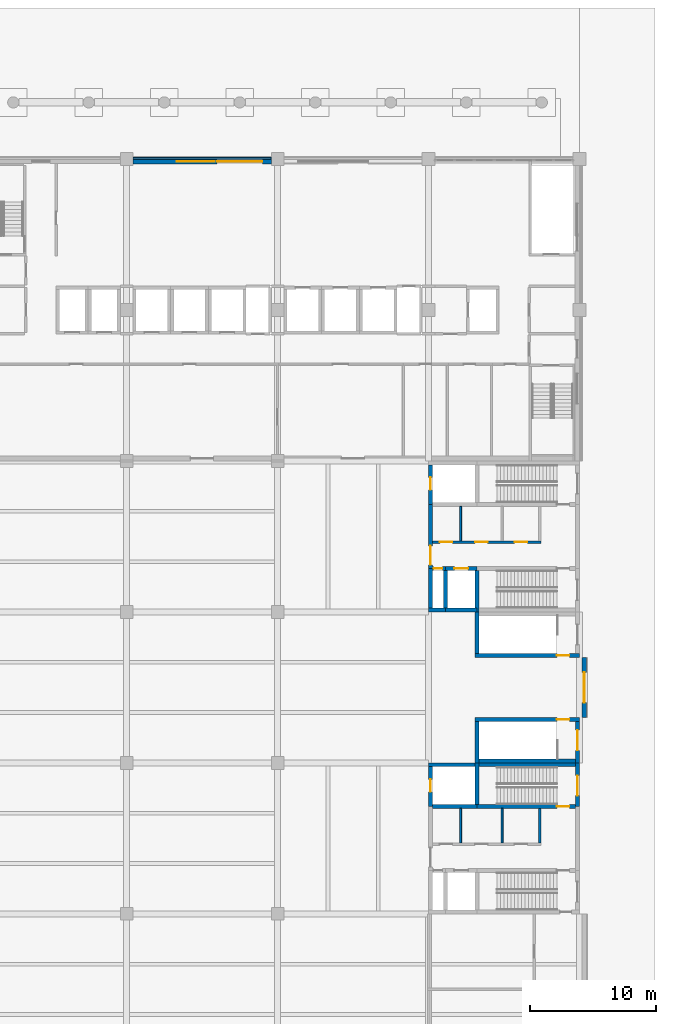
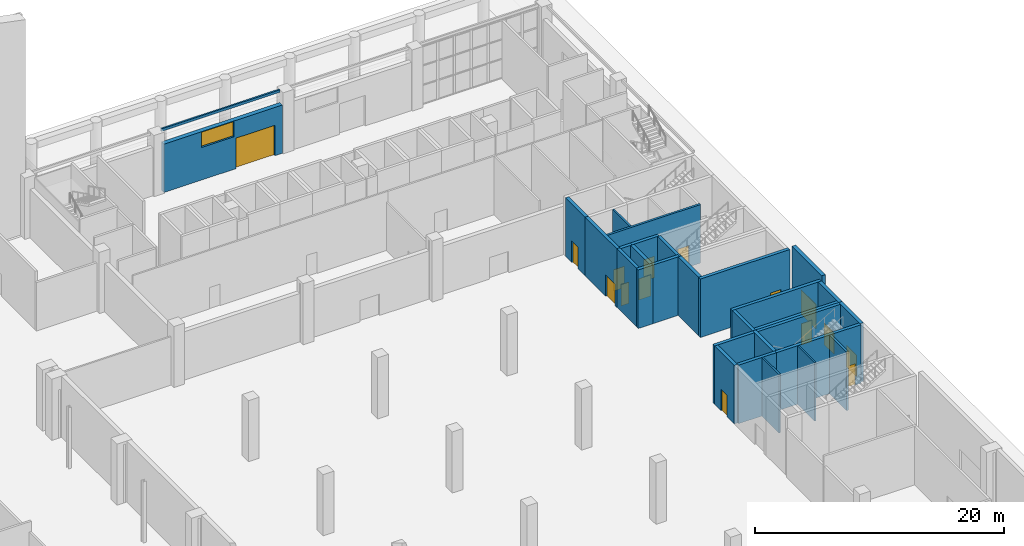
# One storey, part 47 of 59: 30 walls, 15 doors, 1 window, 16 openings.
"""IFC4 building model written with IfcOpenShell, lengths in metres."""

from ifc_helpers import new_model, si_unit, direction, frame, frame_2d, origin, place, context, subcontext, project, spatial, rectangle, extrude, material, layer, layer_set, type_object, element, fill, save


model = new_model("IFC4")

# Units and contexts
model_context = context("Model", 3, precision=1e-05, world=origin(), true_north=direction((0.0, 1.0)))
body_context = subcontext(model_context, "Body", "Model", "MODEL_VIEW")
ifc_project = project(units=[si_unit("LENGTHUNIT", "METRE"), si_unit("AREAUNIT", "SQUARE_METRE"), si_unit("VOLUMEUNIT", "CUBIC_METRE"), si_unit("PLANEANGLEUNIT", "RADIAN"), si_unit("MASSUNIT", "GRAM", prefix="KILO")], contexts=[model_context])

# Site, building, storey
site_placement = place(None, origin())
site = spatial("IfcSite", under=ifc_project, at=site_placement, CompositionType="ELEMENT")
building_placement = place(site_placement, origin())
building = spatial("IfcBuilding", under=site, at=building_placement, Name="Lilac Gate Convention Centre", CompositionType="ELEMENT")
storey_placement = place(building_placement, origin())
storey = spatial("IfcBuildingStorey", under=building, at=storey_placement, Name="L00", CompositionType="ELEMENT", Elevation=0.0)

# Wall, openings, window, door
ifc_material_1 = material(Name="Aluminium framed glazing", Category="aluminium")
ifc_layer_1 = layer(ifc_material_1, 0.39990234375)
ifc_layer_set_1 = layer_set([ifc_layer_1], Name="Aluminium framed glazing")
wall_type_1 = type_object("IfcWallType", Name="Glazed screen frame 400", PredefinedType="STANDARD", material=ifc_layer_set_1)
wall_1_placement = place(storey_placement, frame((65.5, 245.800048828125, 0.0), z_axis=(0.0, 0.0, 1.0), x_axis=(-1.0, 0.0, 0.0)))
wall_1 = element("IfcWall", 1, at=wall_1_placement, inside=storey, type_object=wall_type_1, Name="External wall N L00 3", PredefinedType="STANDARD", context=body_context, shape_type="SweptSolid", body=[
    extrude(rectangle(XDim=11.0, YDim=0.39990234375, at=frame_2d((5.5, 0.0))), origin(), (0.0, 0.0, 1.0), 4.75),
])
opening_1_placement = place(wall_1_placement, frame((0.699951171875, 0.0, 0.0)))
opening_1 = element("IfcOpeningElement", 2, at=opening_1_placement, cuts=wall_1, Name="Opening ED-004", PredefinedType="OPENING", context=body_context, shape_type="SweptSolid", body=[
    extrude(rectangle(XDim=3.60009765625, YDim=3.0, at=frame_2d((1.800048828125, 1.5))), frame((0.0, 0.2099609375, 0.0), z_axis=(0.0, -1.0, 0.0), x_axis=(1.0, 0.0, 0.0)), (0.0, 0.0, 1.0), 0.419921875),
])
opening_2_placement = place(wall_1_placement, frame((4.5, 0.0, 3.199951171875)))
opening_2 = element("IfcOpeningElement", 3, at=opening_2_placement, cuts=wall_1, Name="Opening W8", PredefinedType="OPENING", context=body_context, shape_type="SweptSolid", body=[
    extrude(rectangle(XDim=3.0, YDim=1.5, at=frame_2d((1.5, 0.75))), frame((0.0, 0.2099609375, 0.0), z_axis=(0.0, -1.0, 0.0), x_axis=(1.0, 0.0, 0.0)), (0.0, 0.0, 1.0), 0.419921875),
])
ifc_material_2 = material(Name="Aluminium framed double glazing", Category="aluminium")
window_type = type_object("IfcWindowType", Name="Entrance fanlight 3000 x 1500", PartitioningType="TRIPLE_PANEL_VERTICAL", PredefinedType="WINDOW", material=ifc_material_2)
window_placement = place(opening_2_placement, origin())
window = element("IfcWindow", 4, at=window_placement, inside=storey, type_object=window_type, Name="Fanlight entrance L00", OverallHeight=1.5, OverallWidth=3.0, PartitioningType="SINGLE_PANEL", PredefinedType="WINDOW", context=body_context, shape_type="SweptSolid", body=[
    extrude(rectangle(XDim=3.0, YDim=1.5, at=frame_2d((1.5, 0.75))), frame((0.0, 0.030029296875, 0.0), z_axis=(0.0, -1.0, 0.0), x_axis=(1.0, 0.0, 0.0)), (0.0, 0.0, 1.0), 0.06005859375),
])
fill(opening_2, window)
ifc_material_3 = material(Name="Aluminium framed glazed door", Category="aluminium")
door_type_1 = type_object("IfcDoorType", Name="Main entrance double door 3600 x 3000", OperationType="DOUBLE_DOOR_SINGLE_SWING", PredefinedType="DOOR", material=ifc_material_3)
door_1_placement = place(opening_1_placement, frame((3.60009765625, 0.0, 0.0), z_axis=(0.0, 0.0, 1.0), x_axis=(-1.0, 0.0, 0.0)))
door_1 = element("IfcDoor", 5, at=door_1_placement, inside=storey, type_object=door_type_1, Name="Main entrance E5", OperationType="DOUBLE_DOOR_SINGLE_SWING", OverallHeight=3.0, OverallWidth=3.60009765625, PredefinedType="DOOR", context=body_context, shape_type="SweptSolid", body=[
    extrude(rectangle(XDim=3.60009765625, YDim=3.0, at=frame_2d((1.800048828125, 1.5))), frame((0.0, 0.02490234375, 0.0), z_axis=(0.0, -1.0, 0.0), x_axis=(1.0, 0.0, 0.0)), (0.0, 0.0, 1.0), 0.050048828125),
])
fill(opening_1, door_1)

# Walls
ifc_material_4 = material(Name="Fire-rated gypsum board on steel stud", Category="steel")
ifc_layer_2 = layer(ifc_material_4, 0.14990234375)
ifc_layer_set_2 = layer_set([ifc_layer_2], Name="Fire-rated gypsum board on steel stud")
wall_type_2 = type_object("IfcWallType", Name="Partition 150 fire-rated gypsum board EI 60", PredefinedType="PARTITIONING", material=ifc_layer_set_2)
for number, where, z_axis, x_axis, name in (
    (6, (80.550048828125, 191.64990234375, 0.0), (0.0, 0.0, 1.0), (0.0, 1.0, 0.0), "Partition 150 fire-rated gypsum board EI 60"),
    (7, (80.550048828125, 215.64990234375, 0.0), (0.0, 0.0, 1.0), (0.0, 1.0, 0.0), "Partition 150 fire-rated gypsum board EI 60"),
    (8, (83.85009765625, 191.64990234375, 0.0), (0.0, 0.0, 1.0), (0.0, 1.0, 0.0), "Partition 150 fire-rated gypsum board EI 60"),
):
    element("IfcWall", number, at=place(storey_placement, frame(where, z_axis=z_axis, x_axis=x_axis)), inside=storey, type_object=wall_type_2, Name=name, PredefinedType="PARTITIONING", context=body_context, shape_type="SweptSolid", body=[
        extrude(rectangle(XDim=2.75, YDim=0.14990234375, at=frame_2d((1.375, 0.0))), origin(), (0.0, 0.0, 1.0), 5.75),
    ])

# Wall, openings, doors
ifc_material_5 = material(Name="Clay brick masonry", Category="masonry")
ifc_layer_3 = layer(ifc_material_5, 0.199951171875)
ifc_layer_set_3 = layer_set([ifc_layer_3], Name="Clay brick masonry")
wall_type_3 = type_object("IfcWallType", Name="Partition 200 brick EI 60", PredefinedType="PARTITIONING", material=ifc_layer_set_3)
wall_2_placement = place(storey_placement, frame((78.300048828125, 215.550048828125, 0.0), z_axis=(0.0, 0.0, 1.0), x_axis=(1.0, 0.0, 0.0)))
wall_2 = element("IfcWall", 9, at=wall_2_placement, inside=storey, type_object=wall_type_3, Name="Partition 200 brick EI 60", PredefinedType="PARTITIONING", context=body_context, shape_type="SweptSolid", body=[
    extrude(rectangle(XDim=8.64990234375, YDim=0.199951171875, at=frame_2d((4.324951171875, 0.0))), origin(), (0.0, 0.0, 1.0), 5.75),
])
opening_3_placement = place(wall_2_placement, frame((0.60009765625, 0.0, 0.0)))
opening_3 = element("IfcOpeningElement", 10, at=opening_3_placement, cuts=wall_2, Name="Opening L00-139", PredefinedType="OPENING", context=body_context, shape_type="SweptSolid", body=[
    extrude(rectangle(XDim=1.0, YDim=2.10009765625, at=frame_2d((0.5, 1.050048828125))), frame((0.0, 0.10986328125, 0.0), z_axis=(0.0, -1.0, 0.0), x_axis=(1.0, 0.0, 0.0)), (0.0, 0.0, 1.0), 0.219970703125),
])
opening_4_placement = place(wall_2_placement, frame((3.39990234375, 0.0, 0.0)))
opening_4 = element("IfcOpeningElement", 11, at=opening_4_placement, cuts=wall_2, Name="Opening L00-140", PredefinedType="OPENING", context=body_context, shape_type="SweptSolid", body=[
    extrude(rectangle(XDim=1.0, YDim=2.10009765625, at=frame_2d((0.5, 1.050048828125))), frame((0.0, 0.10986328125, 0.0), z_axis=(0.0, -1.0, 0.0), x_axis=(1.0, 0.0, 0.0)), (0.0, 0.0, 1.0), 0.219970703125),
])
opening_5_placement = place(wall_2_placement, frame((6.550048828125, 0.0, 0.0)))
opening_5 = element("IfcOpeningElement", 12, at=opening_5_placement, cuts=wall_2, Name="Opening L00-141", PredefinedType="OPENING", context=body_context, shape_type="SweptSolid", body=[
    extrude(rectangle(XDim=1.0, YDim=2.10009765625, at=frame_2d((0.5, 1.050048828125))), frame((0.0, 0.10986328125, 0.0), z_axis=(0.0, -1.0, 0.0), x_axis=(1.0, 0.0, 0.0)), (0.0, 0.0, 1.0), 0.219970703125),
])
ifc_material_6 = material(Name="Timber fire door leaf", Category="wood")
door_type_2 = type_object("IfcDoorType", Name="Door 1000 x 2100 single leaf FD30", OperationType="SINGLE_SWING_LEFT", PredefinedType="DOOR", material=ifc_material_6)
door_2_placement = place(opening_3_placement, origin())
door_2 = element("IfcDoor", 13, at=door_2_placement, inside=storey, type_object=door_type_2, Name="Accessible WC door L00-139", OperationType="SINGLE_SWING_RIGHT", OverallHeight=2.10009765625, OverallWidth=1.0, PredefinedType="DOOR", context=body_context, shape_type="SweptSolid", body=[
    extrude(rectangle(XDim=1.0, YDim=2.10009765625, at=frame_2d((0.5, 1.050048828125))), frame((0.0, 0.02490234375, 0.0), z_axis=(0.0, -1.0, 0.0), x_axis=(1.0, 0.0, 0.0)), (0.0, 0.0, 1.0), 0.050048828125),
])
fill(opening_3, door_2)
door_3_placement = place(opening_4_placement, origin())
door_3 = element("IfcDoor", 14, at=door_3_placement, inside=storey, type_object=door_type_2, Name="WC door L00-140", OperationType="SINGLE_SWING_LEFT", OverallHeight=2.10009765625, OverallWidth=1.0, PredefinedType="DOOR", context=body_context, shape_type="SweptSolid", body=[
    extrude(rectangle(XDim=1.0, YDim=2.10009765625, at=frame_2d((0.5, 1.050048828125))), frame((0.0, 0.02490234375, 0.0), z_axis=(0.0, -1.0, 0.0), x_axis=(1.0, 0.0, 0.0)), (0.0, 0.0, 1.0), 0.050048828125),
])
fill(opening_4, door_3)
door_4_placement = place(opening_5_placement, origin())
door_4 = element("IfcDoor", 15, at=door_4_placement, inside=storey, type_object=door_type_2, Name="WC door L00-141", OperationType="SINGLE_SWING_RIGHT", OverallHeight=2.10009765625, OverallWidth=1.0, PredefinedType="DOOR", context=body_context, shape_type="SweptSolid", body=[
    extrude(rectangle(XDim=1.0, YDim=2.10009765625, at=frame_2d((0.5, 1.050048828125))), frame((0.0, 0.02490234375, 0.0), z_axis=(0.0, -1.0, 0.0), x_axis=(1.0, 0.0, 0.0)), (0.0, 0.0, 1.0), 0.050048828125),
])
fill(opening_5, door_4)

# Wall
wall_3_placement = place(storey_placement, frame((86.85009765625, 191.64990234375, 0.0), z_axis=(0.0, 0.0, 1.0), x_axis=(0.0, 1.0, 0.0)))
element("IfcWall", 16, at=wall_3_placement, inside=storey, type_object=wall_type_3, Name="Partition 200 brick EI 60", PredefinedType="PARTITIONING", context=body_context, shape_type="SweptSolid", body=[
    extrude(rectangle(XDim=2.75, YDim=0.199951171875, at=frame_2d((1.375, 0.0))), origin(), (0.0, 0.0, 1.0), 5.75),
])

# Wall, opening, door
ifc_material_7 = material(Name="Ochre mineral render")
ifc_layer_4 = layer(ifc_material_7, 0.02001953125)
ifc_material_8 = material(Name="Concrete C40 precast", Category="concrete")
ifc_layer_5 = layer(ifc_material_8, 0.06005859375)
ifc_material_9 = material(Name="Ventilated air cavity")
ifc_layer_6 = layer(ifc_material_9, 0.030029296875)
ifc_material_10 = material(Name="Mineral wool insulation")
ifc_layer_7 = layer(ifc_material_10, 0.169921875)
ifc_material_11 = material(Name="Steel stud Q345 and gypsum lining", Category="steel")
ifc_layer_8 = layer(ifc_material_11, 0.070068359375)
ifc_layer_set_4 = layer_set([ifc_layer_4, ifc_layer_5, ifc_layer_6, ifc_layer_7, ifc_layer_8], Name="Ochre mineral render, Concrete C40 precast, Ventilated air cavity, Mineral wool insulation, Steel stud Q345 and gypsum lining")
wall_type_4 = type_object("IfcWallType", Name="Podium precast wall 350", PredefinedType="STANDARD", material=ifc_layer_set_4)
wall_4_placement = place(storey_placement, frame((90.375, 201.60009765625, 0.0), z_axis=(0.0, 0.0, 1.0), x_axis=(0.0, 1.0, 0.0)))
wall_4 = element("IfcWall", 17, at=wall_4_placement, inside=storey, type_object=wall_type_4, Name="External wall hall east HE L00 12", PredefinedType="STANDARD", context=body_context, shape_type="SweptSolid", body=[
    extrude(rectangle(XDim=4.7998046875, YDim=0.35009765625, at=frame_2d((2.39990234375, 0.0))), origin(), (0.0, 0.0, 1.0), 6.0),
])
opening_6_placement = place(wall_4_placement, frame((1.199951171875, 0.0, 0.0)))
opening_6 = element("IfcOpeningElement", 18, at=opening_6_placement, cuts=wall_4, Name="Opening ED-030", PredefinedType="OPENING", context=body_context, shape_type="SweptSolid", body=[
    extrude(rectangle(XDim=2.39990234375, YDim=2.39990234375, at=frame_2d((1.199951171875, 1.199951171875))), frame((0.0, 0.18505859375, 0.0), z_axis=(0.0, -1.0, 0.0), x_axis=(1.0, 0.0, 0.0)), (0.0, 0.0, 1.0), 0.3701171875),
])
ifc_material_12 = material(Name="Steel Q235B", Category="steel")
door_type_3 = type_object("IfcDoorType", Name="Exit door pair 2400 x 2400", OperationType="DOUBLE_DOOR_SINGLE_SWING", PredefinedType="DOOR", material=ifc_material_12)
door_5_placement = place(opening_6_placement, frame((2.39990234375, 0.0, 0.0), z_axis=(0.0, 0.0, 1.0), x_axis=(-1.0, 0.0, 0.0)))
door_5 = element("IfcDoor", 19, at=door_5_placement, inside=storey, type_object=door_type_3, Name="Pedestrian exit gate G19", OperationType="DOUBLE_DOOR_SINGLE_SWING", OverallHeight=2.39990234375, OverallWidth=2.39990234375, PredefinedType="DOOR", context=body_context, shape_type="SweptSolid", body=[
    extrude(rectangle(XDim=2.39990234375, YDim=2.39990234375, at=frame_2d((1.199951171875, 1.199951171875))), frame((0.0, 0.02490234375, 0.0), z_axis=(0.0, -1.0, 0.0), x_axis=(1.0, 0.0, 0.0)), (0.0, 0.0, 1.0), 0.050048828125),
])
fill(opening_6, door_5)

# Walls
ifc_layer_9 = layer(ifc_material_8, 0.1298828125)
ifc_layer_10 = layer(ifc_material_7, 0.02001953125)
ifc_layer_set_5 = layer_set([ifc_layer_9, ifc_layer_10], Name="Concrete C40 precast, Ochre mineral render")
wall_type_5 = type_object("IfcWallType", Name="Precast band ochre 150", PredefinedType="STANDARD", material=ifc_layer_set_5)
wall_5_placement = place(storey_placement, frame((65.5, 246.074951171875, 5.75), z_axis=(0.0, 0.0, 1.0), x_axis=(-1.0, 0.0, 0.0)))
element("IfcWall", 20, at=wall_5_placement, inside=storey, type_object=wall_type_5, Name="Precast band N L00 3", PredefinedType="STANDARD", context=body_context, shape_type="SweptSolid", body=[
    extrude(rectangle(XDim=11.0, YDim=0.14990234375, at=frame_2d((5.5, 0.0))), origin(), (0.0, 0.0, 1.0), 0.25),
])
ifc_material_13 = material(Name="Concrete C40", Category="concrete")
ifc_layer_11 = layer(ifc_material_13, 0.300048828125)
ifc_layer_set_6 = layer_set([ifc_layer_11], Name="Concrete C40")
wall_type_6 = type_object("IfcWallType", Name="Shear wall 300 C40", PredefinedType="SHEAR", material=ifc_layer_set_6)
wall_6_placement = place(storey_placement, frame((90.0, 198.14990234375, 0.0), z_axis=(0.0, 0.0, 1.0), x_axis=(-1.0, 0.0, 0.0)))
element("IfcWall", 21, at=wall_6_placement, inside=storey, type_object=wall_type_6, Name="SW1 shear wall BE3 L00 1", PredefinedType="SHEAR", context=body_context, shape_type="SweptSolid", body=[
    extrude(rectangle(XDim=8.300048828125, YDim=0.300048828125, at=frame_2d((4.14990234375, 0.0))), origin(), (0.0, 0.0, 1.0), 5.75),
])

# Wall, opening, door
wall_7_placement = place(storey_placement, frame((90.0, 201.449951171875, 0.0), z_axis=(0.0, 0.0, 1.0), x_axis=(-1.0, 0.0, 0.0)))
wall_7 = element("IfcWall", 22, at=wall_7_placement, inside=storey, type_object=wall_type_6, Name="SW1 shear wall BE3 L00 2", PredefinedType="SHEAR", context=body_context, shape_type="SweptSolid", body=[
    extrude(rectangle(XDim=8.300048828125, YDim=0.300048828125, at=frame_2d((4.14990234375, 0.0))), origin(), (0.0, 0.0, 1.0), 5.75),
])
opening_7_placement = place(wall_7_placement, frame((0.800048828125, 0.0, 0.0)))
opening_7 = element("IfcOpeningElement", 23, at=opening_7_placement, cuts=wall_7, Name="Opening L00-122", PredefinedType="OPENING", context=body_context, shape_type="SweptSolid", body=[
    extrude(rectangle(XDim=1.0, YDim=2.10009765625, at=frame_2d((0.5, 1.050048828125))), frame((0.0, 0.159912109375, 0.0), z_axis=(0.0, -1.0, 0.0), x_axis=(1.0, 0.0, 0.0)), (0.0, 0.0, 1.0), 0.320068359375),
])
door_type_4 = type_object("IfcDoorType", Name="Door 1000 x 2100 single leaf FD60", OperationType="SINGLE_SWING_LEFT", PredefinedType="DOOR", material=ifc_material_6)
door_6_placement = place(opening_7_placement, origin())
door_6 = element("IfcDoor", 24, at=door_6_placement, inside=storey, type_object=door_type_4, Name="Stair door L00-122", OperationType="SINGLE_SWING_RIGHT", OverallHeight=2.10009765625, OverallWidth=1.0, PredefinedType="DOOR", context=body_context, shape_type="SweptSolid", body=[
    extrude(rectangle(XDim=1.0, YDim=2.10009765625, at=frame_2d((0.5, 1.050048828125))), frame((0.0, 0.02490234375, 0.0), z_axis=(0.0, -1.0, 0.0), x_axis=(1.0, 0.0, 0.0)), (0.0, 0.0, 1.0), 0.050048828125),
])
fill(opening_7, door_6)

wall_8_placement = place(storey_placement, frame((89.85009765625, 198.0, 0.0), z_axis=(0.0, 0.0, 1.0), x_axis=(0.0, 1.0, 0.0)))
wall_8 = element("IfcWall", 25, at=wall_8_placement, inside=storey, type_object=wall_type_6, Name="SW1 shear wall BE3 L00 3", PredefinedType="SHEAR", context=body_context, shape_type="SweptSolid", body=[
    extrude(rectangle(XDim=3.300048828125, YDim=0.300048828125, at=frame_2d((1.64990234375, 0.0))), origin(), (0.0, 0.0, 1.0), 5.75),
])
opening_8_placement = place(wall_8_placement, frame((1.0, 0.0, 0.0)))
opening_8 = element("IfcOpeningElement", 26, at=opening_8_placement, cuts=wall_8, Name="Opening L00-120", PredefinedType="OPENING", context=body_context, shape_type="SweptSolid", body=[
    extrude(rectangle(XDim=1.60009765625, YDim=2.10009765625, at=frame_2d((0.800048828125, 1.050048828125))), frame((0.0, 0.159912109375, 0.0), z_axis=(0.0, -1.0, 0.0), x_axis=(1.0, 0.0, 0.0)), (0.0, 0.0, 1.0), 0.320068359375),
])
door_type_5 = type_object("IfcDoorType", Name="Door 1600 x 2100 double leaf FD60", OperationType="DOUBLE_DOOR_SINGLE_SWING", PredefinedType="DOOR", material=ifc_material_6)
door_7_placement = place(opening_8_placement, frame((1.60009765625, 0.0, 0.0), z_axis=(0.0, 0.0, 1.0), x_axis=(-1.0, 0.0, 0.0)))
door_7 = element("IfcDoor", 27, at=door_7_placement, inside=storey, type_object=door_type_5, Name="Stair exit door L00-120", OperationType="DOUBLE_DOOR_SINGLE_SWING", OverallHeight=2.10009765625, OverallWidth=1.60009765625, PredefinedType="DOOR", context=body_context, shape_type="SweptSolid", body=[
    extrude(rectangle(XDim=1.60009765625, YDim=2.10009765625, at=frame_2d((0.800048828125, 1.050048828125))), frame((0.0, 0.02490234375, 0.0), z_axis=(0.0, -1.0, 0.0), x_axis=(1.0, 0.0, 0.0)), (0.0, 0.0, 1.0), 0.050048828125),
])
fill(opening_8, door_7)

# Wall
wall_9_placement = place(storey_placement, frame((81.85009765625, 198.0, 0.0), z_axis=(0.0, 0.0, 1.0), x_axis=(0.0, 1.0, 0.0)))
element("IfcWall", 28, at=wall_9_placement, inside=storey, type_object=wall_type_6, Name="SW1 shear wall BE3 L00 4", PredefinedType="SHEAR", context=body_context, shape_type="SweptSolid", body=[
    extrude(rectangle(XDim=3.300048828125, YDim=0.300048828125, at=frame_2d((1.64990234375, 0.0))), origin(), (0.0, 0.0, 1.0), 5.75),
])

# Wall, opening, door
wall_10_placement = place(storey_placement, frame((90.0, 206.550048828125, 0.0), z_axis=(0.0, 0.0, 1.0), x_axis=(-1.0, 0.0, 0.0)))
wall_10 = element("IfcWall", 29, at=wall_10_placement, inside=storey, type_object=wall_type_6, Name="SW1 shear wall BE4 L00 1", PredefinedType="SHEAR", context=body_context, shape_type="SweptSolid", body=[
    extrude(rectangle(XDim=8.300048828125, YDim=0.300048828125, at=frame_2d((4.14990234375, 0.0))), origin(), (0.0, 0.0, 1.0), 5.75),
])
opening_9_placement = place(wall_10_placement, frame((0.800048828125, 0.0, 0.0)))
opening_9 = element("IfcOpeningElement", 30, at=opening_9_placement, cuts=wall_10, Name="Opening L00-124", PredefinedType="OPENING", context=body_context, shape_type="SweptSolid", body=[
    extrude(rectangle(XDim=1.0, YDim=2.10009765625, at=frame_2d((0.5, 1.050048828125))), frame((0.0, 0.159912109375, 0.0), z_axis=(0.0, -1.0, 0.0), x_axis=(1.0, 0.0, 0.0)), (0.0, 0.0, 1.0), 0.320068359375),
])
door_8_placement = place(opening_9_placement, frame((1.0, 0.0, 0.0), z_axis=(0.0, 0.0, 1.0), x_axis=(-1.0, 0.0, 0.0)))
door_8 = element("IfcDoor", 31, at=door_8_placement, inside=storey, type_object=door_type_4, Name="Stair door L00-124", OperationType="SINGLE_SWING_LEFT", OverallHeight=2.10009765625, OverallWidth=1.0, PredefinedType="DOOR", context=body_context, shape_type="SweptSolid", body=[
    extrude(rectangle(XDim=1.0, YDim=2.10009765625, at=frame_2d((0.5, 1.050048828125))), frame((0.0, 0.02490234375, 0.0), z_axis=(0.0, -1.0, 0.0), x_axis=(1.0, 0.0, 0.0)), (0.0, 0.0, 1.0), 0.050048828125),
])
fill(opening_9, door_8)

# Walls
wall_11_placement = place(storey_placement, frame((81.85009765625, 206.699951171875, 0.0), z_axis=(0.0, 0.0, 1.0), x_axis=(0.0, 1.0, 0.0)))
element("IfcWall", 32, at=wall_11_placement, inside=storey, type_object=wall_type_6, Name="SW1 shear wall BE4 L00 4", PredefinedType="SHEAR", context=body_context, shape_type="SweptSolid", body=[
    extrude(rectangle(XDim=3.300048828125, YDim=0.300048828125, at=frame_2d((1.64990234375, 0.0))), origin(), (0.0, 0.0, 1.0), 5.75),
])
wall_12_placement = place(storey_placement, frame((90.0, 197.85009765625, 0.0), z_axis=(0.0, 0.0, 1.0), x_axis=(-1.0, 0.0, 0.0)))
element("IfcWall", 33, at=wall_12_placement, inside=storey, type_object=wall_type_6, Name="SW1 shear wall E3 L00 4", PredefinedType="SHEAR", context=body_context, shape_type="SweptSolid", body=[
    extrude(rectangle(XDim=8.14990234375, YDim=0.300048828125, at=frame_2d((4.074951171875, 0.0))), origin(), (0.0, 0.0, 1.0), 5.75),
])
wall_13_placement = place(storey_placement, frame((81.85009765625, 197.85009765625, 0.0), z_axis=(0.0, 0.0, 1.0), x_axis=(-1.0, 0.0, 0.0)))
element("IfcWall", 34, at=wall_13_placement, inside=storey, type_object=wall_type_6, Name="SW1 shear wall E3 L00 5", PredefinedType="SHEAR", context=body_context, shape_type="SweptSolid", body=[
    extrude(rectangle(XDim=3.85009765625, YDim=0.300048828125, at=frame_2d((1.925048828125, 0.0))), origin(), (0.0, 0.0, 1.0), 5.75),
])

# Wall, opening, door
wall_14_placement = place(storey_placement, frame((89.699951171875, 194.550048828125, 0.0), z_axis=(0.0, 0.0, 1.0), x_axis=(-1.0, 0.0, 0.0)))
wall_14 = element("IfcWall", 35, at=wall_14_placement, inside=storey, type_object=wall_type_6, Name="SW1 shear wall E3 L00 9", PredefinedType="SHEAR", context=body_context, shape_type="SweptSolid", body=[
    extrude(rectangle(XDim=7.849853515625, YDim=0.300048828125, at=frame_2d((3.9248046875, 0.0))), origin(), (0.0, 0.0, 1.0), 5.75),
])
opening_10_placement = place(wall_14_placement, frame((0.5, 0.0, 0.0)))
opening_10 = element("IfcOpeningElement", 36, at=opening_10_placement, cuts=wall_14, Name="Opening L00-117", PredefinedType="OPENING", context=body_context, shape_type="SweptSolid", body=[
    extrude(rectangle(XDim=1.0, YDim=2.10009765625, at=frame_2d((0.5, 1.050048828125))), frame((0.0, 0.159912109375, 0.0), z_axis=(0.0, -1.0, 0.0), x_axis=(1.0, 0.0, 0.0)), (0.0, 0.0, 1.0), 0.320068359375),
])
door_9_placement = place(opening_10_placement, frame((1.0, 0.0, 0.0), z_axis=(0.0, 0.0, 1.0), x_axis=(-1.0, 0.0, 0.0)))
door_9 = element("IfcDoor", 37, at=door_9_placement, inside=storey, type_object=door_type_4, Name="Stair door L00-117", OperationType="SINGLE_SWING_LEFT", OverallHeight=2.10009765625, OverallWidth=1.0, PredefinedType="DOOR", context=body_context, shape_type="SweptSolid", body=[
    extrude(rectangle(XDim=1.0, YDim=2.10009765625, at=frame_2d((0.5, 1.050048828125))), frame((0.0, 0.02490234375, 0.0), z_axis=(0.0, -1.0, 0.0), x_axis=(1.0, 0.0, 0.0)), (0.0, 0.0, 1.0), 0.050048828125),
])
fill(opening_10, door_9)

# Wall
wall_15_placement = place(storey_placement, frame((81.85009765625, 194.550048828125, 0.0), z_axis=(0.0, 0.0, 1.0), x_axis=(-1.0, 0.0, 0.0)))
element("IfcWall", 38, at=wall_15_placement, inside=storey, type_object=wall_type_6, Name="SW1 shear wall E3 L00 10", PredefinedType="SHEAR", context=body_context, shape_type="SweptSolid", body=[
    extrude(rectangle(XDim=3.550048828125, YDim=0.300048828125, at=frame_2d((1.77490234375, 0.0))), origin(), (0.0, 0.0, 1.0), 5.75),
])

# Wall, opening, door
wall_16_placement = place(storey_placement, frame((89.85009765625, 194.550048828125, 0.0), z_axis=(0.0, 0.0, 1.0), x_axis=(0.0, 1.0, 0.0)))
wall_16 = element("IfcWall", 39, at=wall_16_placement, inside=storey, type_object=wall_type_6, Name="SW1 shear wall E3 L00 13", PredefinedType="SHEAR", context=body_context, shape_type="SweptSolid", body=[
    extrude(rectangle(XDim=3.449951171875, YDim=0.300048828125, at=frame_2d((1.72509765625, 0.0))), origin(), (0.0, 0.0, 1.0), 5.75),
])
opening_11_placement = place(wall_16_placement, frame((0.85009765625, 0.0, 0.0)))
opening_11 = element("IfcOpeningElement", 40, at=opening_11_placement, cuts=wall_16, Name="Opening L00-119", PredefinedType="OPENING", context=body_context, shape_type="SweptSolid", body=[
    extrude(rectangle(XDim=1.60009765625, YDim=2.10009765625, at=frame_2d((0.800048828125, 1.050048828125))), frame((0.0, 0.159912109375, 0.0), z_axis=(0.0, -1.0, 0.0), x_axis=(1.0, 0.0, 0.0)), (0.0, 0.0, 1.0), 0.320068359375),
])
door_10_placement = place(opening_11_placement, frame((1.60009765625, 0.0, 0.0), z_axis=(0.0, 0.0, 1.0), x_axis=(-1.0, 0.0, 0.0)))
door_10 = element("IfcDoor", 41, at=door_10_placement, inside=storey, type_object=door_type_5, Name="Stair exit door L00-119", OperationType="DOUBLE_DOOR_SINGLE_SWING", OverallHeight=2.10009765625, OverallWidth=1.60009765625, PredefinedType="DOOR", context=body_context, shape_type="SweptSolid", body=[
    extrude(rectangle(XDim=1.60009765625, YDim=2.10009765625, at=frame_2d((0.800048828125, 1.050048828125))), frame((0.0, 0.02490234375, 0.0), z_axis=(0.0, -1.0, 0.0), x_axis=(1.0, 0.0, 0.0)), (0.0, 0.0, 1.0), 0.050048828125),
])
fill(opening_11, door_10)

wall_17_placement = place(storey_placement, frame((78.14990234375, 194.550048828125, 0.0), z_axis=(0.0, 0.0, 1.0), x_axis=(0.0, 1.0, 0.0)))
wall_17 = element("IfcWall", 42, at=wall_17_placement, inside=storey, type_object=wall_type_6, Name="SW1 shear wall E3 L00 16", PredefinedType="SHEAR", context=body_context, shape_type="SweptSolid", body=[
    extrude(rectangle(XDim=3.14990234375, YDim=0.300048828125, at=frame_2d((1.574951171875, 0.0))), origin(), (0.0, 0.0, 1.0), 5.75),
])
opening_12_placement = place(wall_17_placement, frame((1.14990234375, 0.0, 0.0)))
opening_12 = element("IfcOpeningElement", 43, at=opening_12_placement, cuts=wall_17, Name="Opening L00-118", PredefinedType="OPENING", context=body_context, shape_type="SweptSolid", body=[
    extrude(rectangle(XDim=1.0, YDim=2.10009765625, at=frame_2d((0.5, 1.050048828125))), frame((0.0, 0.159912109375, 0.0), z_axis=(0.0, -1.0, 0.0), x_axis=(1.0, 0.0, 0.0)), (0.0, 0.0, 1.0), 0.320068359375),
])
door_11_placement = place(opening_12_placement, frame((1.0, 0.0, 0.0), z_axis=(0.0, 0.0, 1.0), x_axis=(-1.0, 0.0, 0.0)))
door_11 = element("IfcDoor", 44, at=door_11_placement, inside=storey, type_object=door_type_2, Name="Riser access door L00-118", OperationType="SINGLE_SWING_LEFT", OverallHeight=2.10009765625, OverallWidth=1.0, PredefinedType="DOOR", context=body_context, shape_type="SweptSolid", body=[
    extrude(rectangle(XDim=1.0, YDim=2.10009765625, at=frame_2d((0.5, 1.050048828125))), frame((0.0, 0.02490234375, 0.0), z_axis=(0.0, -1.0, 0.0), x_axis=(1.0, 0.0, 0.0)), (0.0, 0.0, 1.0), 0.050048828125),
])
fill(opening_12, door_11)

# Walls
wall_18_placement = place(storey_placement, frame((81.85009765625, 194.699951171875, 0.0), z_axis=(0.0, 0.0, 1.0), x_axis=(0.0, 1.0, 0.0)))
element("IfcWall", 45, at=wall_18_placement, inside=storey, type_object=wall_type_6, Name="SW1 shear wall E3 L00 18", PredefinedType="SHEAR", context=body_context, shape_type="SweptSolid", body=[
    extrude(rectangle(XDim=3.300048828125, YDim=0.300048828125, at=frame_2d((1.64990234375, 0.0))), origin(), (0.0, 0.0, 1.0), 5.75),
])
wall_19_placement = place(storey_placement, frame((81.85009765625, 210.14990234375, 0.0), z_axis=(0.0, 0.0, 1.0), x_axis=(-1.0, 0.0, 0.0)))
element("IfcWall", 46, at=wall_19_placement, inside=storey, type_object=wall_type_6, Name="SW1 shear wall E4 L00 2", PredefinedType="SHEAR", context=body_context, shape_type="SweptSolid", body=[
    extrude(rectangle(XDim=2.5, YDim=0.300048828125, at=frame_2d((1.25, 0.0))), origin(), (0.0, 0.0, 1.0), 5.75),
])
wall_20_placement = place(storey_placement, frame((79.35009765625, 210.14990234375, 0.0), z_axis=(0.0, 0.0, 1.0), x_axis=(-1.0, 0.0, 0.0)))
element("IfcWall", 47, at=wall_20_placement, inside=storey, type_object=wall_type_6, Name="SW1 shear wall E4 L00 3", PredefinedType="SHEAR", context=body_context, shape_type="SweptSolid", body=[
    extrude(rectangle(XDim=1.35009765625, YDim=0.300048828125, at=frame_2d((0.675048828125, 0.0))), origin(), (0.0, 0.0, 1.0), 5.75),
])

# Wall, opening, door
wall_21_placement = place(storey_placement, frame((81.85009765625, 213.449951171875, 0.0), z_axis=(0.0, 0.0, 1.0), x_axis=(-1.0, 0.0, 0.0)))
wall_21 = element("IfcWall", 48, at=wall_21_placement, inside=storey, type_object=wall_type_6, Name="SW1 shear wall E4 L00 7", PredefinedType="SHEAR", context=body_context, shape_type="SweptSolid", body=[
    extrude(rectangle(XDim=2.5, YDim=0.300048828125, at=frame_2d((1.25, 0.0))), origin(), (0.0, 0.0, 1.0), 5.75),
])
opening_13_placement = place(wall_21_placement, frame((0.699951171875, 0.0, 0.0)))
opening_13 = element("IfcOpeningElement", 49, at=opening_13_placement, cuts=wall_21, Name="Opening LDE4-00", PredefinedType="OPENING", context=body_context, shape_type="SweptSolid", body=[
    extrude(rectangle(XDim=1.10009765625, YDim=2.10009765625, at=frame_2d((0.550048828125, 1.050048828125))), frame((0.0, 0.159912109375, 0.0), z_axis=(0.0, -1.0, 0.0), x_axis=(1.0, 0.0, 0.0)), (0.0, 0.0, 1.0), 0.320068359375),
])
ifc_material_14 = material(Name="Stainless steel 304", Category="steel")
door_type_6 = type_object("IfcDoorType", Name="Lift landing door 1100 x 2100", OperationType="SLIDING_TO_LEFT", PredefinedType="DOOR", material=ifc_material_14)
door_12_placement = place(opening_13_placement, origin())
door_12 = element("IfcDoor", 50, at=door_12_placement, inside=storey, type_object=door_type_6, Name="Lift landing door LDE4-00", OperationType="SLIDING_TO_LEFT", OverallHeight=2.10009765625, OverallWidth=1.10009765625, PredefinedType="DOOR", context=body_context, shape_type="SweptSolid", body=[
    extrude(rectangle(XDim=1.10009765625, YDim=2.10009765625, at=frame_2d((0.550048828125, 1.050048828125))), frame((0.0, 0.02490234375, 0.0), z_axis=(0.0, -1.0, 0.0), x_axis=(1.0, 0.0, 0.0)), (0.0, 0.0, 1.0), 0.050048828125),
])
fill(opening_13, door_12)

wall_22_placement = place(storey_placement, frame((79.35009765625, 213.449951171875, 0.0), z_axis=(0.0, 0.0, 1.0), x_axis=(-1.0, 0.0, 0.0)))
wall_22 = element("IfcWall", 51, at=wall_22_placement, inside=storey, type_object=wall_type_6, Name="SW1 shear wall E4 L00 8", PredefinedType="SHEAR", context=body_context, shape_type="SweptSolid", body=[
    extrude(rectangle(XDim=1.050048828125, YDim=0.300048828125, at=frame_2d((0.52490234375, 0.0))), origin(), (0.0, 0.0, 1.0), 5.75),
])
opening_14_placement = place(wall_22_placement, frame((0.25, 0.0, 0.0)))
opening_14 = element("IfcOpeningElement", 52, at=opening_14_placement, cuts=wall_22, Name="Opening L00-132", PredefinedType="OPENING", context=body_context, shape_type="SweptSolid", body=[
    extrude(rectangle(XDim=0.699951171875, YDim=2.10009765625, at=frame_2d((0.35009765625, 1.050048828125))), frame((0.0, 0.159912109375, 0.0), z_axis=(0.0, -1.0, 0.0), x_axis=(1.0, 0.0, 0.0)), (0.0, 0.0, 1.0), 0.320068359375),
])
door_type_7 = type_object("IfcDoorType", Name="Door 700 x 2100 single leaf FD30", OperationType="SINGLE_SWING_LEFT", PredefinedType="DOOR", material=ifc_material_6)
door_13_placement = place(opening_14_placement, origin())
door_13 = element("IfcDoor", 53, at=door_13_placement, inside=storey, type_object=door_type_7, Name="Riser access door L00-132", OperationType="SINGLE_SWING_LEFT", OverallHeight=2.10009765625, OverallWidth=0.699951171875, PredefinedType="DOOR", context=body_context, shape_type="SweptSolid", body=[
    extrude(rectangle(XDim=0.699951171875, YDim=2.10009765625, at=frame_2d((0.35009765625, 1.050048828125))), frame((0.0, 0.02490234375, 0.0), z_axis=(0.0, -1.0, 0.0), x_axis=(1.0, 0.0, 0.0)), (0.0, 0.0, 1.0), 0.050048828125),
])
fill(opening_14, door_13)

# Wall
wall_23_placement = place(storey_placement, frame((78.14990234375, 210.300048828125, 0.0), z_axis=(0.0, 0.0, 1.0), x_axis=(0.0, 1.0, 0.0)))
element("IfcWall", 54, at=wall_23_placement, inside=storey, type_object=wall_type_6, Name="SW1 shear wall E4 L00 14", PredefinedType="SHEAR", context=body_context, shape_type="SweptSolid", body=[
    extrude(rectangle(XDim=3.14990234375, YDim=0.300048828125, at=frame_2d((1.574951171875, 0.0))), origin(), (0.0, 0.0, 1.0), 5.75),
])

# Wall, opening, door
wall_24_placement = place(storey_placement, frame((78.14990234375, 213.449951171875, 0.0), z_axis=(0.0, 0.0, 1.0), x_axis=(0.0, 1.0, 0.0)))
wall_24 = element("IfcWall", 55, at=wall_24_placement, inside=storey, type_object=wall_type_6, Name="SW1 shear wall E4 L00 15", PredefinedType="SHEAR", context=body_context, shape_type="SweptSolid", body=[
    extrude(rectangle(XDim=5.10009765625, YDim=0.300048828125, at=frame_2d((2.550048828125, 0.0))), origin(), (0.0, 0.0, 1.0), 5.75),
])
opening_15_placement = place(wall_24_placement, frame((0.300048828125, 0.0, 0.0)))
opening_15 = element("IfcOpeningElement", 56, at=opening_15_placement, cuts=wall_24, Name="Opening L00-135", PredefinedType="OPENING", context=body_context, shape_type="SweptSolid", body=[
    extrude(rectangle(XDim=1.5, YDim=2.10009765625, at=frame_2d((0.75, 1.050048828125))), frame((0.0, 0.159912109375, 0.0), z_axis=(0.0, -1.0, 0.0), x_axis=(1.0, 0.0, 0.0)), (0.0, 0.0, 1.0), 0.320068359375),
])
door_type_8 = type_object("IfcDoorType", Name="Door 1500 x 2100 double leaf FD30", OperationType="DOUBLE_DOOR_SINGLE_SWING", PredefinedType="DOOR", material=ifc_material_6)
door_14_placement = place(opening_15_placement, frame((1.5, 0.0, 0.0), z_axis=(0.0, 0.0, 1.0), x_axis=(-1.0, 0.0, 0.0)))
door_14 = element("IfcDoor", 57, at=door_14_placement, inside=storey, type_object=door_type_8, Name="Lobby door L00-135", OperationType="DOUBLE_DOOR_SINGLE_SWING", OverallHeight=2.10009765625, OverallWidth=1.5, PredefinedType="DOOR", context=body_context, shape_type="SweptSolid", body=[
    extrude(rectangle(XDim=1.5, YDim=2.10009765625, at=frame_2d((0.75, 1.050048828125))), frame((0.0, 0.02490234375, 0.0), z_axis=(0.0, -1.0, 0.0), x_axis=(1.0, 0.0, 0.0)), (0.0, 0.0, 1.0), 0.050048828125),
])
fill(opening_15, door_14)

wall_25_placement = place(storey_placement, frame((78.14990234375, 218.550048828125, 0.0), z_axis=(0.0, 0.0, 1.0), x_axis=(0.0, 1.0, 0.0)))
wall_25 = element("IfcWall", 58, at=wall_25_placement, inside=storey, type_object=wall_type_6, Name="SW1 shear wall E4 L00 16", PredefinedType="SHEAR", context=body_context, shape_type="SweptSolid", body=[
    extrude(rectangle(XDim=3.14990234375, YDim=0.300048828125, at=frame_2d((1.574951171875, 0.0))), origin(), (0.0, 0.0, 1.0), 5.75),
])
opening_16_placement = place(wall_25_placement, frame((1.14990234375, 0.0, 0.0)))
opening_16 = element("IfcOpeningElement", 59, at=opening_16_placement, cuts=wall_25, Name="Opening L00-146", PredefinedType="OPENING", context=body_context, shape_type="SweptSolid", body=[
    extrude(rectangle(XDim=1.0, YDim=2.10009765625, at=frame_2d((0.5, 1.050048828125))), frame((0.0, 0.159912109375, 0.0), z_axis=(0.0, -1.0, 0.0), x_axis=(1.0, 0.0, 0.0)), (0.0, 0.0, 1.0), 0.320068359375),
])
door_15_placement = place(opening_16_placement, frame((1.0, 0.0, 0.0), z_axis=(0.0, 0.0, 1.0), x_axis=(-1.0, 0.0, 0.0)))
door_15 = element("IfcDoor", 60, at=door_15_placement, inside=storey, type_object=door_type_2, Name="Riser access door L00-146", OperationType="SINGLE_SWING_LEFT", OverallHeight=2.10009765625, OverallWidth=1.0, PredefinedType="DOOR", context=body_context, shape_type="SweptSolid", body=[
    extrude(rectangle(XDim=1.0, YDim=2.10009765625, at=frame_2d((0.5, 1.050048828125))), frame((0.0, 0.02490234375, 0.0), z_axis=(0.0, -1.0, 0.0), x_axis=(1.0, 0.0, 0.0)), (0.0, 0.0, 1.0), 0.050048828125),
])
fill(opening_16, door_15)

# Walls
wall_26_placement = place(storey_placement, frame((81.85009765625, 210.0, 0.0), z_axis=(0.0, 0.0, 1.0), x_axis=(0.0, 1.0, 0.0)))
element("IfcWall", 61, at=wall_26_placement, inside=storey, type_object=wall_type_6, Name="SW1 shear wall E4 L00 17", PredefinedType="SHEAR", context=body_context, shape_type="SweptSolid", body=[
    extrude(rectangle(XDim=3.300048828125, YDim=0.300048828125, at=frame_2d((1.64990234375, 0.0))), origin(), (0.0, 0.0, 1.0), 5.75),
])
wall_27_placement = place(storey_placement, frame((79.35009765625, 210.300048828125, 0.0), z_axis=(0.0, 0.0, 1.0), x_axis=(0.0, 1.0, 0.0)))
element("IfcWall", 62, at=wall_27_placement, inside=storey, type_object=wall_type_6, Name="SW1 shear wall E4 L00 19", PredefinedType="SHEAR", context=body_context, shape_type="SweptSolid", body=[
    extrude(rectangle(XDim=3.0, YDim=0.300048828125, at=frame_2d((1.5, 0.0))), origin(), (0.0, 0.0, 1.0), 5.75),
])

save(model, "model.ifc")
